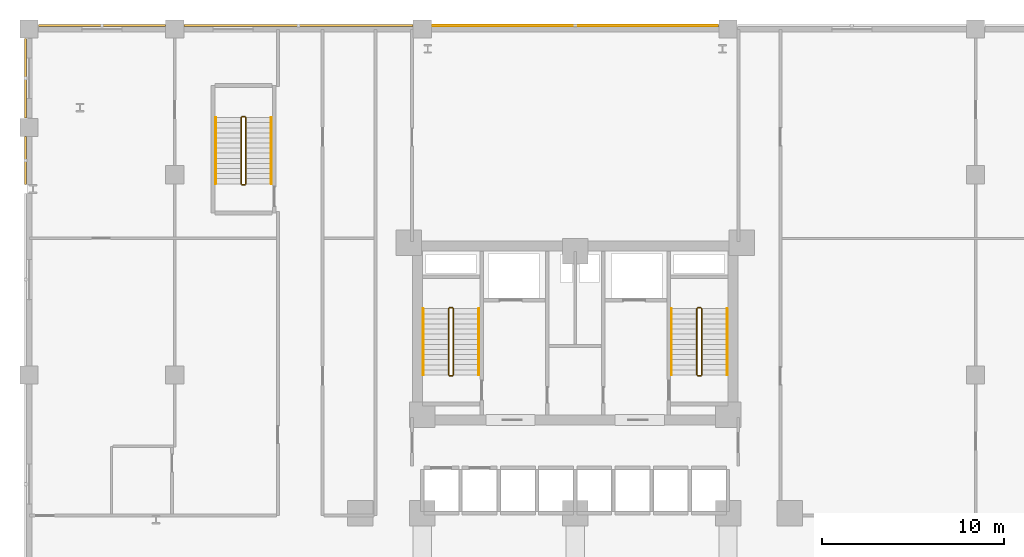
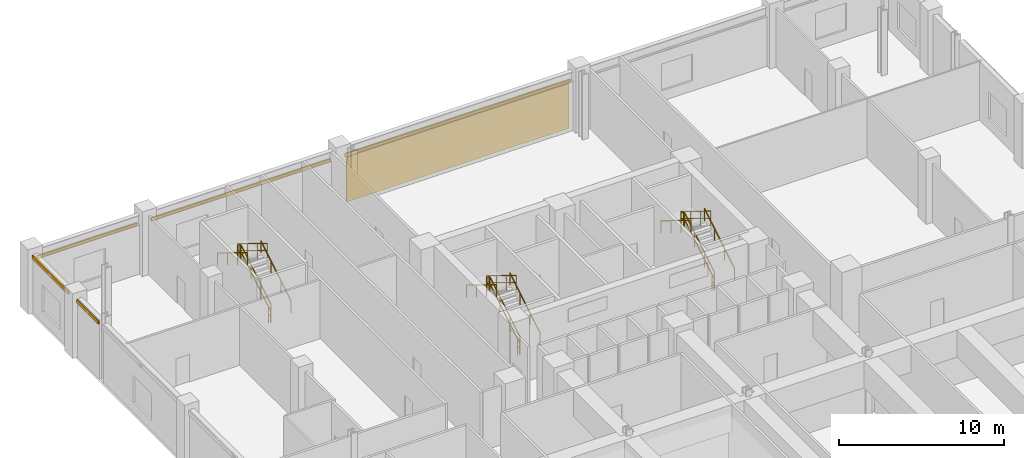
# One storey, part 40 of 44: 18 railings, 5 shading devices, 1 covering.
"""IFC4 building model written with IfcOpenShell, lengths in metres."""

from ifc_helpers import new_model, si_unit, derived_unit, direction, frame, origin, origin_2d, place, context, subcontext, project, spatial, polyline, hollow_rectangle, circle, outline, extrude, source, transform, mapped, material, layer, layer_set, material_profile, profile_set, type_object, element, save


model = new_model("IFC4")

# Units and contexts
model_context = context("Model", 3, precision=1e-05, world=origin(), true_north=direction((0.0, 1.0)))
body_context = subcontext(model_context, "Body", "Model", "MODEL_VIEW")
ifc_project = project(units=[si_unit("LENGTHUNIT", "METRE"), si_unit("AREAUNIT", "SQUARE_METRE"), si_unit("VOLUMEUNIT", "CUBIC_METRE"), si_unit("PLANEANGLEUNIT", "RADIAN"), si_unit("MASSUNIT", "GRAM", prefix="KILO"), derived_unit("THERMALTRANSMITTANCEUNIT", [(si_unit("POWERUNIT", "WATT"), 1), (si_unit("LENGTHUNIT", "METRE"), -2), (si_unit("THERMODYNAMICTEMPERATUREUNIT", "KELVIN"), -1)])], contexts=[model_context])

# Site, building, storey
site_placement = place(None, origin())
site = spatial("IfcSite", under=ifc_project, at=site_placement, CompositionType="ELEMENT")
building_placement = place(site_placement, origin())
building = spatial("IfcBuilding", under=site, at=building_placement, Name="Korsvarv Bourse and Concert Hall", CompositionType="ELEMENT")
storey_placement = place(building_placement, frame((0.0, 0.0, 9.60009765625)))
storey = spatial("IfcBuildingStorey", under=building, at=storey_placement, Name="L02", CompositionType="ELEMENT", Elevation=9.60009765625)

# Covering
ifc_material_1 = material(Name="Warm iron-oxide extruded terracotta rainscreen tile", Category="ceramic")
ifc_layer = layer(ifc_material_1, 0.044921875)
ifc_layer_set = layer_set([ifc_layer], Name="Warm iron-oxide extruded terracotta rainscreen tile")
covering_type = type_object("IfcCoveringType", Name="COV-CLD-TC", PredefinedType="CLADDING", material=ifc_layer_set)
covering_placement = place(storey_placement, origin())
element("IfcCovering", 1, at=covering_placement, inside=storey, type_object=covering_type, Name="L02 fluted terracotta cladding panel EW-L02-N3", PredefinedType="CLADDING", context=body_context, shape_type="SweptSolid", body=[
    extrude(outline(polyline([(28.18505859375, 59.155029296875), (43.81494140625, 59.155029296875), (43.81494140625, 59.199951171875), (28.18505859375, 59.199951171875), (28.18505859375, 59.155029296875)])), origin(), (0.0, 0.0, 1.0), 3.329833984375),
])

# Railings
ifc_material_2 = material(Name="Painted Steel S355 stair well guardrail", Category="steel")
railing_type_1 = type_object("IfcRailingType", Name="RL-ST-GRD", PredefinedType="GUARDRAIL", material=ifc_material_2)
railing_1_placement = place(storey_placement, frame((29.31005859375, 40.0, 0.17138671875)))
element("IfcRailing", 2, at=railing_1_placement, inside=storey, type_object=railing_type_1, Name="L02 ST-T1 stair guard 1", PredefinedType="GUARDRAIL", context=body_context, shape_type="SweptSolid", body=[
    extrude(circle(Radius=0.02392578125, at=origin_2d()), frame((0.0, 0.0, 1.076171875), z_axis=(0.0, 0.852850264322, 0.5221555579), x_axis=(-1.0, 0.0, 0.0)), (0.0, 0.0, 1.0), 4.267822265625),
    extrude(circle(Radius=0.02392578125, at=origin_2d()), frame((0.0, 0.0, 0.550048828125), z_axis=(0.0, 0.852850264322, 0.5221555579), x_axis=(-1.0, 0.0, 0.0)), (0.0, 0.0, 1.0), 4.267822265625),
    extrude(circle(Radius=0.02099609375, at=origin_2d()), origin(), (0.0, 0.0, 1.0), 1.052001953125),
    extrude(circle(Radius=0.02099609375, at=origin_2d()), frame((0.0, 1.21337890625, 0.742919921875)), (0.0, 0.0, 1.0), 1.052001953125),
    extrude(circle(Radius=0.02099609375, at=origin_2d()), frame((0.0, 2.426513671875, 1.485595703125)), (0.0, 0.0, 1.0), 1.052001953125),
    extrude(circle(Radius=0.02099609375, at=origin_2d()), frame((0.0, 3.639892578125, 2.228515625)), (0.0, 0.0, 1.0), 1.052001953125),
])
railing_2_placement = place(storey_placement, frame((29.260009765625, 43.68994140625, 2.39990234375)))
element("IfcRailing", 3, at=railing_2_placement, inside=storey, type_object=railing_type_1, Name="L02 ST-T1 stair guard 2", PredefinedType="GUARDRAIL", context=body_context, shape_type="SweptSolid", body=[
    extrude(circle(Radius=0.02392578125, at=origin_2d()), frame((0.0, 0.0, 1.076171875), z_axis=(-1.0, 0.0, 0.0), x_axis=(0.0, -1.0, 0.0)), (0.0, 0.0, 1.0), 0.159912109375),
    extrude(circle(Radius=0.02392578125, at=origin_2d()), frame((0.0, 0.0, 0.550048828125), z_axis=(-1.0, 0.0, 0.0), x_axis=(0.0, -1.0, 0.0)), (0.0, 0.0, 1.0), 0.159912109375),
    extrude(circle(Radius=0.02099609375, at=origin_2d()), origin(), (0.0, 0.0, 1.0), 1.052001953125),
    extrude(circle(Radius=0.02099609375, at=origin_2d()), frame((-0.159912109375, 0.0, 0.0)), (0.0, 0.0, 1.0), 1.052001953125),
])
railing_3_placement = place(storey_placement, frame((29.050048828125, 43.639892578125, 2.5712890625)))
element("IfcRailing", 4, at=railing_3_placement, inside=storey, type_object=railing_type_1, Name="L02 ST-T1 stair guard 3", PredefinedType="GUARDRAIL", context=body_context, shape_type="SweptSolid", body=[
    extrude(circle(Radius=0.02392578125, at=origin_2d()), frame((0.0, 0.0, 1.076171875), z_axis=(0.0, -0.852850264322, 0.5221555579), x_axis=(1.0, 0.0, 0.0)), (0.0, 0.0, 1.0), 4.267822265625),
    extrude(circle(Radius=0.02392578125, at=origin_2d()), frame((0.0, 0.0, 0.550048828125), z_axis=(0.0, -0.852850264322, 0.5221555579), x_axis=(1.0, 0.0, 0.0)), (0.0, 0.0, 1.0), 4.267822265625),
    extrude(circle(Radius=0.02099609375, at=origin_2d()), origin(), (0.0, 0.0, 1.0), 1.052001953125),
    extrude(circle(Radius=0.02099609375, at=origin_2d()), frame((0.0, -1.21337890625, 0.742919921875)), (0.0, 0.0, 1.0), 1.052001953125),
    extrude(circle(Radius=0.02099609375, at=origin_2d()), frame((0.0, -2.426513671875, 1.485595703125)), (0.0, 0.0, 1.0), 1.052001953125),
    extrude(circle(Radius=0.02099609375, at=origin_2d()), frame((0.0, -3.639892578125, 2.228515625)), (0.0, 0.0, 1.0), 1.052001953125),
])
railing_4_placement = place(storey_placement, frame((29.260009765625, 39.949951171875, 0.0)))
element("IfcRailing", 5, at=railing_4_placement, inside=storey, type_object=railing_type_1, Name="L02 ST-T1 stair guard 4", PredefinedType="GUARDRAIL", context=body_context, shape_type="SweptSolid", body=[
    extrude(circle(Radius=0.02392578125, at=origin_2d()), frame((0.0, 0.0, 1.076171875), z_axis=(-1.0, 0.0, 0.0), x_axis=(0.0, -1.0, 0.0)), (0.0, 0.0, 1.0), 0.159912109375),
    extrude(circle(Radius=0.02392578125, at=origin_2d()), frame((0.0, 0.0, 0.550048828125), z_axis=(-1.0, 0.0, 0.0), x_axis=(0.0, -1.0, 0.0)), (0.0, 0.0, 1.0), 0.159912109375),
    extrude(circle(Radius=0.02099609375, at=origin_2d()), origin(), (0.0, 0.0, 1.0), 1.052001953125),
    extrude(circle(Radius=0.02099609375, at=origin_2d()), frame((-0.159912109375, 0.0, 0.0)), (0.0, 0.0, 1.0), 1.052001953125),
])
railing_5_placement = place(storey_placement, frame((42.949951171875, 40.0, 0.17138671875)))
element("IfcRailing", 6, at=railing_5_placement, inside=storey, type_object=railing_type_1, Name="L02 ST-T2 stair guard 1", PredefinedType="GUARDRAIL", context=body_context, shape_type="SweptSolid", body=[
    extrude(circle(Radius=0.02392578125, at=origin_2d()), frame((0.0, 0.0, 1.076171875), z_axis=(0.0, 0.852850264322, 0.5221555579), x_axis=(-1.0, 0.0, 0.0)), (0.0, 0.0, 1.0), 4.267822265625),
    extrude(circle(Radius=0.02392578125, at=origin_2d()), frame((0.0, 0.0, 0.550048828125), z_axis=(0.0, 0.852850264322, 0.5221555579), x_axis=(-1.0, 0.0, 0.0)), (0.0, 0.0, 1.0), 4.267822265625),
    extrude(circle(Radius=0.02099609375, at=origin_2d()), origin(), (0.0, 0.0, 1.0), 1.052001953125),
    extrude(circle(Radius=0.02099609375, at=origin_2d()), frame((0.0, 1.21337890625, 0.742919921875)), (0.0, 0.0, 1.0), 1.052001953125),
    extrude(circle(Radius=0.02099609375, at=origin_2d()), frame((0.0, 2.426513671875, 1.485595703125)), (0.0, 0.0, 1.0), 1.052001953125),
    extrude(circle(Radius=0.02099609375, at=origin_2d()), frame((0.0, 3.639892578125, 2.228515625)), (0.0, 0.0, 1.0), 1.052001953125),
])
railing_6_placement = place(storey_placement, frame((42.89990234375, 43.68994140625, 2.39990234375)))
element("IfcRailing", 7, at=railing_6_placement, inside=storey, type_object=railing_type_1, Name="L02 ST-T2 stair guard 2", PredefinedType="GUARDRAIL", context=body_context, shape_type="SweptSolid", body=[
    extrude(circle(Radius=0.02392578125, at=origin_2d()), frame((0.0, 0.0, 1.076171875), z_axis=(-1.0, 0.0, 0.0), x_axis=(0.0, -1.0, 0.0)), (0.0, 0.0, 1.0), 0.159912109375),
    extrude(circle(Radius=0.02392578125, at=origin_2d()), frame((0.0, 0.0, 0.550048828125), z_axis=(-1.0, 0.0, 0.0), x_axis=(0.0, -1.0, 0.0)), (0.0, 0.0, 1.0), 0.159912109375),
    extrude(circle(Radius=0.02099609375, at=origin_2d()), origin(), (0.0, 0.0, 1.0), 1.052001953125),
    extrude(circle(Radius=0.02099609375, at=origin_2d()), frame((-0.159912109375, 0.0, 0.0)), (0.0, 0.0, 1.0), 1.052001953125),
])
railing_7_placement = place(storey_placement, frame((42.68994140625, 43.639892578125, 2.5712890625)))
element("IfcRailing", 8, at=railing_7_placement, inside=storey, type_object=railing_type_1, Name="L02 ST-T2 stair guard 3", PredefinedType="GUARDRAIL", context=body_context, shape_type="SweptSolid", body=[
    extrude(circle(Radius=0.02392578125, at=origin_2d()), frame((0.0, 0.0, 1.076171875), z_axis=(0.0, -0.852850264322, 0.5221555579), x_axis=(1.0, 0.0, 0.0)), (0.0, 0.0, 1.0), 4.267822265625),
    extrude(circle(Radius=0.02392578125, at=origin_2d()), frame((0.0, 0.0, 0.550048828125), z_axis=(0.0, -0.852850264322, 0.5221555579), x_axis=(1.0, 0.0, 0.0)), (0.0, 0.0, 1.0), 4.267822265625),
    extrude(circle(Radius=0.02099609375, at=origin_2d()), origin(), (0.0, 0.0, 1.0), 1.052001953125),
    extrude(circle(Radius=0.02099609375, at=origin_2d()), frame((0.0, -1.21337890625, 0.742919921875)), (0.0, 0.0, 1.0), 1.052001953125),
    extrude(circle(Radius=0.02099609375, at=origin_2d()), frame((0.0, -2.426513671875, 1.485595703125)), (0.0, 0.0, 1.0), 1.052001953125),
    extrude(circle(Radius=0.02099609375, at=origin_2d()), frame((0.0, -3.639892578125, 2.228515625)), (0.0, 0.0, 1.0), 1.052001953125),
])
railing_8_placement = place(storey_placement, frame((42.89990234375, 39.949951171875, 0.0)))
element("IfcRailing", 9, at=railing_8_placement, inside=storey, type_object=railing_type_1, Name="L02 ST-T2 stair guard 4", PredefinedType="GUARDRAIL", context=body_context, shape_type="SweptSolid", body=[
    extrude(circle(Radius=0.02392578125, at=origin_2d()), frame((0.0, 0.0, 1.076171875), z_axis=(-1.0, 0.0, 0.0), x_axis=(0.0, -1.0, 0.0)), (0.0, 0.0, 1.0), 0.159912109375),
    extrude(circle(Radius=0.02392578125, at=origin_2d()), frame((0.0, 0.0, 0.550048828125), z_axis=(-1.0, 0.0, 0.0), x_axis=(0.0, -1.0, 0.0)), (0.0, 0.0, 1.0), 0.159912109375),
    extrude(circle(Radius=0.02099609375, at=origin_2d()), origin(), (0.0, 0.0, 1.0), 1.052001953125),
    extrude(circle(Radius=0.02099609375, at=origin_2d()), frame((-0.159912109375, 0.0, 0.0)), (0.0, 0.0, 1.0), 1.052001953125),
])
railing_9_placement = place(storey_placement, frame((17.909912109375, 50.5, 0.17138671875)))
element("IfcRailing", 10, at=railing_9_placement, inside=storey, type_object=railing_type_1, Name="L02 ST-PD1 stair guard 1", PredefinedType="GUARDRAIL", context=body_context, shape_type="SweptSolid", body=[
    extrude(circle(Radius=0.02392578125, at=origin_2d()), frame((0.0, 0.0, 1.076171875), z_axis=(0.0, 0.852850264322, 0.5221555579), x_axis=(-1.0, 0.0, 0.0)), (0.0, 0.0, 1.0), 4.267822265625),
    extrude(circle(Radius=0.02392578125, at=origin_2d()), frame((0.0, 0.0, 0.550048828125), z_axis=(0.0, 0.852850264322, 0.5221555579), x_axis=(-1.0, 0.0, 0.0)), (0.0, 0.0, 1.0), 4.267822265625),
    extrude(circle(Radius=0.02099609375, at=origin_2d()), origin(), (0.0, 0.0, 1.0), 1.052001953125),
    extrude(circle(Radius=0.02099609375, at=origin_2d()), frame((0.0, 1.21337890625, 0.742919921875)), (0.0, 0.0, 1.0), 1.052001953125),
    extrude(circle(Radius=0.02099609375, at=origin_2d()), frame((0.0, 2.426513671875, 1.485595703125)), (0.0, 0.0, 1.0), 1.052001953125),
    extrude(circle(Radius=0.02099609375, at=origin_2d()), frame((0.0, 3.639892578125, 2.228515625)), (0.0, 0.0, 1.0), 1.052001953125),
])
railing_10_placement = place(storey_placement, frame((17.860107421875, 54.18994140625, 2.39990234375)))
element("IfcRailing", 11, at=railing_10_placement, inside=storey, type_object=railing_type_1, Name="L02 ST-PD1 stair guard 2", PredefinedType="GUARDRAIL", context=body_context, shape_type="SweptSolid", body=[
    extrude(circle(Radius=0.02392578125, at=origin_2d()), frame((0.0, 0.0, 1.076171875), z_axis=(-1.0, 0.0, 0.0), x_axis=(0.0, -1.0, 0.0)), (0.0, 0.0, 1.0), 0.16015625),
    extrude(circle(Radius=0.02392578125, at=origin_2d()), frame((0.0, 0.0, 0.550048828125), z_axis=(-1.0, 0.0, 0.0), x_axis=(0.0, -1.0, 0.0)), (0.0, 0.0, 1.0), 0.16015625),
    extrude(circle(Radius=0.02099609375, at=origin_2d()), origin(), (0.0, 0.0, 1.0), 1.052001953125),
    extrude(circle(Radius=0.02099609375, at=origin_2d()), frame((-0.16015625, 0.0, 0.0)), (0.0, 0.0, 1.0), 1.052001953125),
])
railing_11_placement = place(storey_placement, frame((17.64990234375, 54.139892578125, 2.5712890625)))
element("IfcRailing", 12, at=railing_11_placement, inside=storey, type_object=railing_type_1, Name="L02 ST-PD1 stair guard 3", PredefinedType="GUARDRAIL", context=body_context, shape_type="SweptSolid", body=[
    extrude(circle(Radius=0.02392578125, at=origin_2d()), frame((0.0, 0.0, 1.076171875), z_axis=(0.0, -0.852850264322, 0.5221555579), x_axis=(1.0, 0.0, 0.0)), (0.0, 0.0, 1.0), 4.267822265625),
    extrude(circle(Radius=0.02392578125, at=origin_2d()), frame((0.0, 0.0, 0.550048828125), z_axis=(0.0, -0.852850264322, 0.5221555579), x_axis=(1.0, 0.0, 0.0)), (0.0, 0.0, 1.0), 4.267822265625),
    extrude(circle(Radius=0.02099609375, at=origin_2d()), origin(), (0.0, 0.0, 1.0), 1.052001953125),
    extrude(circle(Radius=0.02099609375, at=origin_2d()), frame((0.0, -1.21337890625, 0.742919921875)), (0.0, 0.0, 1.0), 1.052001953125),
    extrude(circle(Radius=0.02099609375, at=origin_2d()), frame((0.0, -2.426513671875, 1.485595703125)), (0.0, 0.0, 1.0), 1.052001953125),
    extrude(circle(Radius=0.02099609375, at=origin_2d()), frame((0.0, -3.639892578125, 2.228515625)), (0.0, 0.0, 1.0), 1.052001953125),
])
railing_12_placement = place(storey_placement, frame((17.860107421875, 50.449951171875, 0.0)))
element("IfcRailing", 13, at=railing_12_placement, inside=storey, type_object=railing_type_1, Name="L02 ST-PD1 stair guard 4", PredefinedType="GUARDRAIL", context=body_context, shape_type="SweptSolid", body=[
    extrude(circle(Radius=0.02392578125, at=origin_2d()), frame((0.0, 0.0, 1.076171875), z_axis=(-1.0, 0.0, 0.0), x_axis=(0.0, -1.0, 0.0)), (0.0, 0.0, 1.0), 0.16015625),
    extrude(circle(Radius=0.02392578125, at=origin_2d()), frame((0.0, 0.0, 0.550048828125), z_axis=(-1.0, 0.0, 0.0), x_axis=(0.0, -1.0, 0.0)), (0.0, 0.0, 1.0), 0.16015625),
    extrude(circle(Radius=0.02099609375, at=origin_2d()), origin(), (0.0, 0.0, 1.0), 1.052001953125),
    extrude(circle(Radius=0.02099609375, at=origin_2d()), frame((-0.16015625, 0.0, 0.0)), (0.0, 0.0, 1.0), 1.052001953125),
])
ifc_material_3 = material(Name="Brushed stainless Steel S355 tubular handrail", Category="steel")
railing_type_2 = type_object("IfcRailingType", Name="RL-ST-HND", PredefinedType="HANDRAIL", material=ifc_material_3)
railing_13_placement = place(storey_placement, frame((30.7099609375, 40.0, 0.17138671875)))
element("IfcRailing", 14, at=railing_13_placement, inside=storey, type_object=railing_type_2, Name="L02 ST-T1 stair handrail 1", PredefinedType="HANDRAIL", context=body_context, shape_type="SweptSolid", body=[
    extrude(circle(Radius=0.02392578125, at=origin_2d()), frame((0.0, 0.0, 0.8759765625), z_axis=(0.0, 0.852850264322, 0.5221555579), x_axis=(-1.0, 0.0, 0.0)), (0.0, 0.0, 1.0), 4.267822265625),
    extrude(circle(Radius=0.02099609375, at=origin_2d()), origin(), (0.0, 0.0, 1.0), 0.851806640625),
    extrude(circle(Radius=0.02099609375, at=origin_2d()), frame((0.0, 1.21337890625, 0.742919921875)), (0.0, 0.0, 1.0), 0.851806640625),
    extrude(circle(Radius=0.02099609375, at=origin_2d()), frame((0.0, 2.426513671875, 1.485595703125)), (0.0, 0.0, 1.0), 0.851806640625),
    extrude(circle(Radius=0.02099609375, at=origin_2d()), frame((0.0, 3.639892578125, 2.228515625)), (0.0, 0.0, 1.0), 0.851806640625),
])
railing_14_placement = place(storey_placement, frame((27.64990234375, 43.639892578125, 2.5712890625)))
element("IfcRailing", 15, at=railing_14_placement, inside=storey, type_object=railing_type_2, Name="L02 ST-T1 stair handrail 2", PredefinedType="HANDRAIL", context=body_context, shape_type="SweptSolid", body=[
    extrude(circle(Radius=0.02392578125, at=origin_2d()), frame((0.0, 0.0, 0.8759765625), z_axis=(0.0, -0.852850264322, 0.5221555579), x_axis=(1.0, 0.0, 0.0)), (0.0, 0.0, 1.0), 4.267822265625),
    extrude(circle(Radius=0.02099609375, at=origin_2d()), origin(), (0.0, 0.0, 1.0), 0.851806640625),
    extrude(circle(Radius=0.02099609375, at=origin_2d()), frame((0.0, -1.21337890625, 0.742919921875)), (0.0, 0.0, 1.0), 0.851806640625),
    extrude(circle(Radius=0.02099609375, at=origin_2d()), frame((0.0, -2.426513671875, 1.485595703125)), (0.0, 0.0, 1.0), 0.851806640625),
    extrude(circle(Radius=0.02099609375, at=origin_2d()), frame((0.0, -3.639892578125, 2.228515625)), (0.0, 0.0, 1.0), 0.851806640625),
])
railing_15_placement = place(storey_placement, frame((44.35009765625, 40.0, 0.17138671875)))
element("IfcRailing", 16, at=railing_15_placement, inside=storey, type_object=railing_type_2, Name="L02 ST-T2 stair handrail 1", PredefinedType="HANDRAIL", context=body_context, shape_type="SweptSolid", body=[
    extrude(circle(Radius=0.02392578125, at=origin_2d()), frame((0.0, 0.0, 0.8759765625), z_axis=(0.0, 0.852850264322, 0.5221555579), x_axis=(-1.0, 0.0, 0.0)), (0.0, 0.0, 1.0), 4.267822265625),
    extrude(circle(Radius=0.02099609375, at=origin_2d()), origin(), (0.0, 0.0, 1.0), 0.851806640625),
    extrude(circle(Radius=0.02099609375, at=origin_2d()), frame((0.0, 1.21337890625, 0.742919921875)), (0.0, 0.0, 1.0), 0.851806640625),
    extrude(circle(Radius=0.02099609375, at=origin_2d()), frame((0.0, 2.426513671875, 1.485595703125)), (0.0, 0.0, 1.0), 0.851806640625),
    extrude(circle(Radius=0.02099609375, at=origin_2d()), frame((0.0, 3.639892578125, 2.228515625)), (0.0, 0.0, 1.0), 0.851806640625),
])
railing_16_placement = place(storey_placement, frame((41.2900390625, 43.639892578125, 2.5712890625)))
element("IfcRailing", 17, at=railing_16_placement, inside=storey, type_object=railing_type_2, Name="L02 ST-T2 stair handrail 2", PredefinedType="HANDRAIL", context=body_context, shape_type="SweptSolid", body=[
    extrude(circle(Radius=0.02392578125, at=origin_2d()), frame((0.0, 0.0, 0.8759765625), z_axis=(0.0, -0.852850264322, 0.5221555579), x_axis=(1.0, 0.0, 0.0)), (0.0, 0.0, 1.0), 4.267822265625),
    extrude(circle(Radius=0.02099609375, at=origin_2d()), origin(), (0.0, 0.0, 1.0), 0.851806640625),
    extrude(circle(Radius=0.02099609375, at=origin_2d()), frame((0.0, -1.21337890625, 0.742919921875)), (0.0, 0.0, 1.0), 0.851806640625),
    extrude(circle(Radius=0.02099609375, at=origin_2d()), frame((0.0, -2.426513671875, 1.485595703125)), (0.0, 0.0, 1.0), 0.851806640625),
    extrude(circle(Radius=0.02099609375, at=origin_2d()), frame((0.0, -3.639892578125, 2.228515625)), (0.0, 0.0, 1.0), 0.851806640625),
])
railing_17_placement = place(storey_placement, frame((19.31005859375, 50.5, 0.17138671875)))
element("IfcRailing", 18, at=railing_17_placement, inside=storey, type_object=railing_type_2, Name="L02 ST-PD1 stair handrail 1", PredefinedType="HANDRAIL", context=body_context, shape_type="SweptSolid", body=[
    extrude(circle(Radius=0.02392578125, at=origin_2d()), frame((0.0, 0.0, 0.8759765625), z_axis=(0.0, 0.852850264322, 0.5221555579), x_axis=(-1.0, 0.0, 0.0)), (0.0, 0.0, 1.0), 4.267822265625),
    extrude(circle(Radius=0.02099609375, at=origin_2d()), origin(), (0.0, 0.0, 1.0), 0.851806640625),
    extrude(circle(Radius=0.02099609375, at=origin_2d()), frame((0.0, 1.21337890625, 0.742919921875)), (0.0, 0.0, 1.0), 0.851806640625),
    extrude(circle(Radius=0.02099609375, at=origin_2d()), frame((0.0, 2.426513671875, 1.485595703125)), (0.0, 0.0, 1.0), 0.851806640625),
    extrude(circle(Radius=0.02099609375, at=origin_2d()), frame((0.0, 3.639892578125, 2.228515625)), (0.0, 0.0, 1.0), 0.851806640625),
])
railing_18_placement = place(storey_placement, frame((16.25, 54.139892578125, 2.5712890625)))
element("IfcRailing", 19, at=railing_18_placement, inside=storey, type_object=railing_type_2, Name="L02 ST-PD1 stair handrail 2", PredefinedType="HANDRAIL", context=body_context, shape_type="SweptSolid", body=[
    extrude(circle(Radius=0.02392578125, at=origin_2d()), frame((0.0, 0.0, 0.8759765625), z_axis=(0.0, -0.852850264322, 0.5221555579), x_axis=(1.0, 0.0, 0.0)), (0.0, 0.0, 1.0), 4.267822265625),
    extrude(circle(Radius=0.02099609375, at=origin_2d()), origin(), (0.0, 0.0, 1.0), 0.851806640625),
    extrude(circle(Radius=0.02099609375, at=origin_2d()), frame((0.0, -1.21337890625, 0.742919921875)), (0.0, 0.0, 1.0), 0.851806640625),
    extrude(circle(Radius=0.02099609375, at=origin_2d()), frame((0.0, -2.426513671875, 1.485595703125)), (0.0, 0.0, 1.0), 0.851806640625),
    extrude(circle(Radius=0.02099609375, at=origin_2d()), frame((0.0, -3.639892578125, 2.228515625)), (0.0, 0.0, 1.0), 0.851806640625),
])

# Shading devices
ifc_material_4 = material(Name="Glazed extruded architectural terracotta", Category="ceramic")
ifc_material_profile = material_profile(ifc_material_4, hollow_rectangle(XDim=0.090087890625, YDim=0.260009765625, WallThickness=0.011962890625, at=origin_2d()), Name="TC-BAG 90x260")
ifc_profile_set = profile_set([ifc_material_profile], Name="Glazed extruded architectural terracotta")
shading_device_type = type_object("IfcShadingDeviceType", Name="SHD-BAG-1", PredefinedType="USERDEFINED", material=ifc_profile_set)
shared_shape_1 = source(origin(), body_context, "Body", "SweptSolid", [
    extrude(hollow_rectangle(XDim=0.090087890625, YDim=0.260009765625, WallThickness=0.011962890625, at=origin_2d()), origin(), (0.0, 0.0, 1.0), 12.590087890625),
])
shading_device_1_placement = place(storey_placement, frame((14.5048828125, 59.195068359375, 3.489990234375), z_axis=(1.0, 0.0, 0.0), x_axis=(0.0, 1.0, 0.0)))
element("IfcShadingDevice", 20, at=shading_device_1_placement, inside=storey, type_object=shading_device_type, Name="L02 terracotta baguette sunshade EW-L02-N2", ObjectType="BAGUETTE", PredefinedType="USERDEFINED", context=body_context, shape_type="MappedRepresentation", body=[
    mapped(shared_shape_1, transform((0.0, 0.0, 0.0), scale=1.0)),
])
shared_shape_2 = source(origin(), body_context, "Body", "SweptSolid", [
    extrude(hollow_rectangle(XDim=0.090087890625, YDim=0.260009765625, WallThickness=0.011962890625, at=origin_2d()), origin(), (0.0, 0.0, 1.0), 6.990234375),
])
shading_device_2_placement = place(storey_placement, frame((6.5048828125, 59.195068359375, 3.489990234375), z_axis=(1.0, 0.0, 0.0), x_axis=(0.0, 1.0, 0.0)))
element("IfcShadingDevice", 21, at=shading_device_2_placement, inside=storey, type_object=shading_device_type, Name="L02 terracotta baguette sunshade EW-L02-N1", ObjectType="BAGUETTE", PredefinedType="USERDEFINED", context=body_context, shape_type="MappedRepresentation", body=[
    mapped(shared_shape_2, transform((0.0, 0.0, 0.0), scale=1.0)),
])
shared_shape_3 = source(origin(), body_context, "Body", "SweptSolid", [
    extrude(hollow_rectangle(XDim=0.090087890625, YDim=0.260009765625, WallThickness=0.011962890625, at=origin_2d()), origin(), (0.0, 0.0, 1.0), 15.7900390625),
])
shading_device_3_placement = place(storey_placement, frame((28.10498046875, 59.195068359375, 3.489990234375), z_axis=(1.0, 0.0, 0.0), x_axis=(0.0, 1.0, 0.0)))
element("IfcShadingDevice", 22, at=shading_device_3_placement, inside=storey, type_object=shading_device_type, Name="L02 terracotta baguette sunshade EW-L02-N3", ObjectType="BAGUETTE", PredefinedType="USERDEFINED", context=body_context, shape_type="MappedRepresentation", body=[
    mapped(shared_shape_3, transform((0.0, 0.0, 0.0), scale=1.0)),
])
shared_shape_4 = source(origin(), body_context, "Body", "SweptSolid", [
    extrude(hollow_rectangle(XDim=0.090087890625, YDim=0.260009765625, WallThickness=0.011962890625, at=origin_2d()), origin(), (0.0, 0.0, 1.0), 2.6357421875),
])
shading_device_4_placement = place(storey_placement, frame((5.804931640625, 50.459228515625, 4.18994140625), z_axis=(0.0, 1.0, 0.0), x_axis=(-1.0, 0.0, 0.0)))
element("IfcShadingDevice", 23, at=shading_device_4_placement, inside=storey, type_object=shading_device_type, Name="L02 terracotta baguette sunshade EW-L02-W4-2", ObjectType="BAGUETTE", PredefinedType="USERDEFINED", context=body_context, shape_type="MappedRepresentation", body=[
    mapped(shared_shape_4, transform((0.0, 0.0, 0.0), scale=1.0)),
])
shared_shape_5 = source(origin(), body_context, "Body", "SweptSolid", [
    extrude(hollow_rectangle(XDim=0.090087890625, YDim=0.260009765625, WallThickness=0.011962890625, at=origin_2d()), origin(), (0.0, 0.0, 1.0), 4.39013671875),
])
shading_device_5_placement = place(storey_placement, frame((5.804931640625, 54.10498046875, 4.18994140625), z_axis=(0.0, 1.0, 0.0), x_axis=(-1.0, 0.0, 0.0)))
element("IfcShadingDevice", 24, at=shading_device_5_placement, inside=storey, type_object=shading_device_type, Name="L02 terracotta baguette sunshade EW-L02-W5", ObjectType="BAGUETTE", PredefinedType="USERDEFINED", context=body_context, shape_type="MappedRepresentation", body=[
    mapped(shared_shape_5, transform((0.0, 0.0, 0.0), scale=1.0)),
])

save(model, "model.ifc")
